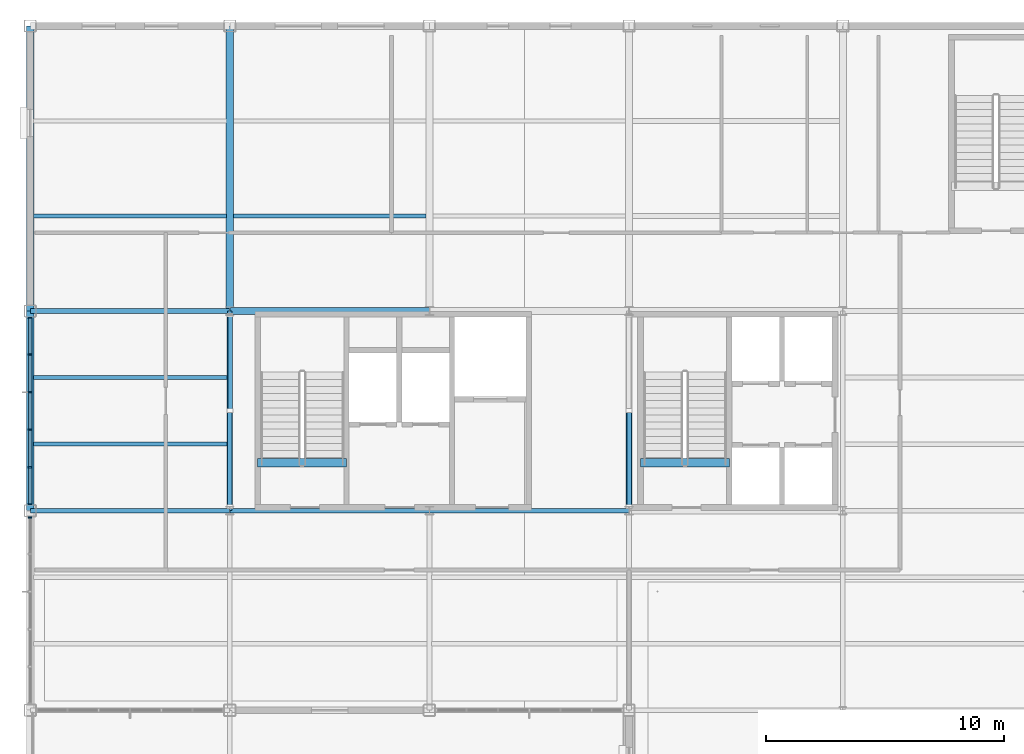
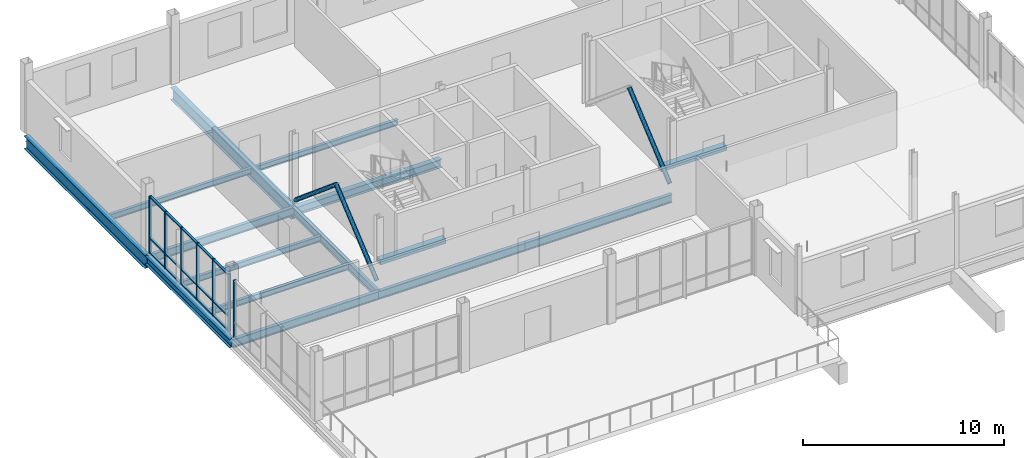
# One storey, part 6 of 22: 25 members, 15 beams, 2 elements without a shape of their own.
"""IFC4 building model written with IfcOpenShell, lengths in metres."""

from ifc_helpers import new_model, si_unit, direction, frame, origin, origin_2d, place, context, subcontext, project, spatial, rectangle, hollow_circle, i_section, extrude, material, layer, layer_set, material_profile, profile_set, type_object, element, aggregate, save


model = new_model("IFC4")

# Units and contexts
model_context = context("Model", 3, precision=1e-05, world=origin(), true_north=direction((0.0, 1.0)))
body_context = subcontext(model_context, "Body", "Model", "MODEL_VIEW")
ifc_project = project(units=[si_unit("LENGTHUNIT", "METRE"), si_unit("AREAUNIT", "SQUARE_METRE"), si_unit("VOLUMEUNIT", "CUBIC_METRE"), si_unit("PLANEANGLEUNIT", "RADIAN"), si_unit("MASSUNIT", "GRAM", prefix="KILO")], contexts=[model_context])

# Site, building, storey
site_placement = place(None, origin())
site = spatial("IfcSite", under=ifc_project, at=site_placement, CompositionType="ELEMENT")
building_placement = place(site_placement, origin())
building = spatial("IfcBuilding", under=site, at=building_placement, Name="Yukiwa Park Conservatory and Herbarium", CompositionType="ELEMENT")
storey_placement = place(building_placement, frame((0.0, 0.0, 35.39990234375)))
storey = spatial("IfcBuildingStorey", under=building, at=storey_placement, Name="L09", CompositionType="ELEMENT", Elevation=35.39990234375)

# Beams
ifc_material_1 = material(Name="Steel Q355D", Category="steel")
ifc_material_profile_1 = material_profile(ifc_material_1, i_section(OverallWidth=0.199951171875, OverallDepth=0.5, WebThickness=0.010009765625, FlangeThickness=0.01611328125, FilletRadius=0.02001953125, at=origin_2d()), Name="HN 500x200x10x16")
ifc_profile_set_1 = profile_set([ifc_material_profile_1], Name="Steel Q355D")
beam_type_1 = type_object("IfcBeamType", Name="BM-GRD-HN500", PredefinedType="BEAM", material=ifc_profile_set_1)
beam_1_placement = place(storey_placement, frame((124.805908203125, 94.800048828125, -0.554931640625), z_axis=(1.0, 0.0, 0.0), x_axis=(0.0, 1.0, 0.0)))
element("IfcBeam", 1, at=beam_1_placement, inside=storey, type_object=beam_type_1, Name="L09 grid beam X-9", PredefinedType="BEAM", context=body_context, shape_type="SweptSolid", body=[
    extrude(i_section(OverallWidth=0.199951171875, OverallDepth=0.5, WebThickness=0.010009765625, FlangeThickness=0.01611328125, FilletRadius=0.02001953125, at=origin_2d()), origin(), (0.0, 0.0, 1.0), 8.38818359375),
])
for number, where, z_axis, x_axis, name in (
    (2, (133.2060546875, 94.800048828125, -0.554931640625), (1.0, 0.0, 0.0), (0.0, 1.0, 0.0), "L09 grid beam X-10"),
    (3, (141.60595703125, 94.800048828125, -0.554931640625), (1.0, 0.0, 0.0), (0.0, 1.0, 0.0), "L09 grid beam X-11"),
):
    element("IfcBeam", number, at=place(storey_placement, frame(where, z_axis=z_axis, x_axis=x_axis)), inside=storey, type_object=beam_type_1, Name=name, PredefinedType="BEAM", context=body_context, shape_type="SweptSolid", body=[
        extrude(i_section(OverallWidth=0.199951171875, OverallDepth=0.5, WebThickness=0.010009765625, FlangeThickness=0.01611328125, FilletRadius=0.02001953125, at=origin_2d()), origin(), (0.0, 0.0, 1.0), 8.387939453125),
    ])
for number, where, z_axis, x_axis, name in (
    (4, (124.805908203125, 103.199951171875, -0.554931640625), (1.0, 0.0, 0.0), (0.0, 1.0, 0.0), "L09 grid beam X-14"),
    (5, (133.199951171875, 94.805908203125, -0.554931640625), (0.0, 1.0, 0.0), (-1.0, 0.0, 0.0), "L09 grid girder Y-30"),
):
    element("IfcBeam", number, at=place(storey_placement, frame(where, z_axis=z_axis, x_axis=x_axis)), inside=storey, type_object=beam_type_1, Name=name, PredefinedType="BEAM", context=body_context, shape_type="SweptSolid", body=[
        extrude(i_section(OverallWidth=0.199951171875, OverallDepth=0.5, WebThickness=0.010009765625, FlangeThickness=0.01611328125, FilletRadius=0.02001953125, at=origin_2d()), origin(), (0.0, 0.0, 1.0), 8.38818359375),
    ])
ifc_material_2 = material(Name="Steel Q355D", Category="steel")
ifc_material_profile_2 = material_profile(ifc_material_2, i_section(OverallWidth=0.300048828125, OverallDepth=0.75, WebThickness=0.012939453125, FlangeThickness=0.02392578125, FilletRadius=0.028076171875, at=origin_2d()), Name="HN 750x300x13x24")
ifc_profile_set_2 = profile_set([ifc_material_profile_2], Name="Steel Q355D")
beam_type_2 = type_object("IfcBeamType", Name="BM-GRD-HN750", PredefinedType="BEAM", material=ifc_profile_set_2)
beam_2_placement = place(storey_placement, frame((133.199951171875, 103.2060546875, -0.679931640625), z_axis=(0.0, 1.0, 0.0), x_axis=(-1.0, 0.0, 0.0)))
element("IfcBeam", 6, at=beam_2_placement, inside=storey, type_object=beam_type_2, Name="L09 grid girder Y-31", PredefinedType="BEAM", context=body_context, shape_type="SweptSolid", body=[
    extrude(i_section(OverallWidth=0.300048828125, OverallDepth=0.75, WebThickness=0.012939453125, FlangeThickness=0.02392578125, FilletRadius=0.028076171875, at=origin_2d()), origin(), (0.0, 0.0, 1.0), 11.988037109375),
])
ifc_material_3 = material(Name="Steel Q355D", Category="steel")
ifc_material_profile_3 = material_profile(ifc_material_3, i_section(OverallWidth=0.175048828125, OverallDepth=0.35009765625, WebThickness=0.007080078125, FlangeThickness=0.010986328125, FilletRadius=0.013916015625, at=origin_2d()), Name="HN 350x175x7x11")
ifc_profile_set_3 = profile_set([ifc_material_profile_3], Name="Steel Q355D")
beam_type_3 = type_object("IfcBeamType", Name="BM-JST-HN350", PredefinedType="JOIST", material=ifc_profile_set_3)
for number, where, z_axis, x_axis, name in (
    (7, (124.946044921875, 97.60009765625, -0.47998046875), (1.0, 0.0, 0.0), (0.0, 1.0, 0.0), "L09 composite floor joist 5"),
    (8, (124.946044921875, 100.39990234375, -0.47998046875), (1.0, 0.0, 0.0), (0.0, 1.0, 0.0), "L09 composite floor joist 6"),
):
    element("IfcBeam", number, at=place(storey_placement, frame(where, z_axis=z_axis, x_axis=x_axis)), inside=storey, type_object=beam_type_3, Name=name, PredefinedType="JOIST", context=body_context, shape_type="SweptSolid", body=[
        extrude(i_section(OverallWidth=0.175048828125, OverallDepth=0.35009765625, WebThickness=0.007080078125, FlangeThickness=0.010986328125, FilletRadius=0.013916015625, at=origin_2d()), origin(), (0.0, 0.0, 1.0), 8.157958984375),
    ])
beam_3_placement = place(storey_placement, frame((124.946044921875, 107.199951171875, -0.47998046875), z_axis=(1.0, 0.0, 0.0), x_axis=(0.0, 1.0, 0.0)))
element("IfcBeam", 9, at=beam_3_placement, inside=storey, type_object=beam_type_3, Name="L09 composite floor joist 7", PredefinedType="JOIST", context=body_context, shape_type="SweptSolid", body=[
    extrude(i_section(OverallWidth=0.175048828125, OverallDepth=0.35009765625, WebThickness=0.007080078125, FlangeThickness=0.010986328125, FilletRadius=0.013916015625, at=origin_2d()), origin(), (0.0, 0.0, 1.0), 8.10791015625),
])
beam_4_placement = place(storey_placement, frame((133.345947265625, 107.199951171875, -0.47998046875), z_axis=(1.0, 0.0, 0.0), x_axis=(0.0, 1.0, 0.0)))
element("IfcBeam", 10, at=beam_4_placement, inside=storey, type_object=beam_type_3, Name="L09 composite floor joist 11", PredefinedType="JOIST", context=body_context, shape_type="SweptSolid", body=[
    extrude(i_section(OverallWidth=0.175048828125, OverallDepth=0.35009765625, WebThickness=0.007080078125, FlangeThickness=0.010986328125, FilletRadius=0.013916015625, at=origin_2d()), origin(), (0.0, 0.0, 1.0), 8.108154296875),
])
ifc_material_4 = material(Name="Steel Q355D", Category="steel")
ifc_material_profile_4 = material_profile(ifc_material_4, i_section(OverallWidth=0.300048828125, OverallDepth=0.5, WebThickness=0.010986328125, FlangeThickness=0.01806640625, FilletRadius=0.02392578125, at=origin_2d()), Name="HM 500x300x11x18")
ifc_profile_set_4 = profile_set([ifc_material_profile_4], Name="Steel Q355D")
beam_type_4 = type_object("IfcBeamType", Name="BM-SPN-HN500", PredefinedType="SPANDREL", material=ifc_profile_set_4)
beam_5_placement = place(storey_placement, frame((133.2060546875, 103.199951171875, -0.554931640625), z_axis=(1.0, 0.0, 0.0), x_axis=(0.0, 1.0, 0.0)))
element("IfcBeam", 11, at=beam_5_placement, inside=storey, type_object=beam_type_4, Name="L09 spandrel beam X-15", PredefinedType="SPANDREL", context=body_context, shape_type="SweptSolid", body=[
    extrude(i_section(OverallWidth=0.300048828125, OverallDepth=0.5, WebThickness=0.010986328125, FlangeThickness=0.01806640625, FilletRadius=0.02392578125, at=origin_2d()), origin(), (0.0, 0.0, 1.0), 8.387939453125),
])
beam_6_placement = place(storey_placement, frame((124.800048828125, 94.805908203125, -0.554931640625), z_axis=(0.0, 1.0, 0.0), x_axis=(-1.0, 0.0, 0.0)))
element("IfcBeam", 12, at=beam_6_placement, inside=storey, type_object=beam_type_4, Name="L09 spandrel girder Y-26", PredefinedType="SPANDREL", context=body_context, shape_type="SweptSolid", body=[
    extrude(i_section(OverallWidth=0.300048828125, OverallDepth=0.5, WebThickness=0.010986328125, FlangeThickness=0.01806640625, FilletRadius=0.02392578125, at=origin_2d()), origin(), (0.0, 0.0, 1.0), 8.38818359375),
])
ifc_material_5 = material(Name="Steel Q355D", Category="steel")
ifc_material_profile_5 = material_profile(ifc_material_5, i_section(OverallWidth=0.300048828125, OverallDepth=0.7919921875, WebThickness=0.013916015625, FlangeThickness=0.02197265625, FilletRadius=0.028076171875, at=origin_2d()), Name="HN 792x300x14x22")
ifc_profile_set_5 = profile_set([ifc_material_profile_5], Name="Steel Q355D")
beam_type_5 = type_object("IfcBeamType", Name="BM-SPN-HN600", PredefinedType="SPANDREL", material=ifc_profile_set_5)
beam_7_placement = place(storey_placement, frame((124.800048828125, 103.2060546875, -0.700927734375), z_axis=(0.0, 1.0, 0.0), x_axis=(-1.0, 0.0, 0.0)))
element("IfcBeam", 13, at=beam_7_placement, inside=storey, type_object=beam_type_5, Name="L09 spandrel girder Y-27", PredefinedType="SPANDREL", context=body_context, shape_type="SweptSolid", body=[
    extrude(i_section(OverallWidth=0.300048828125, OverallDepth=0.7919921875, WebThickness=0.013916015625, FlangeThickness=0.02197265625, FilletRadius=0.028076171875, at=origin_2d()), origin(), (0.0, 0.0, 1.0), 11.988037109375),
])
ifc_material_6 = material(Name="Concrete C40", Category="concrete")
ifc_material_profile_6 = material_profile(ifc_material_6, rectangle(XDim=0.35009765625, YDim=0.300048828125, at=origin_2d()), Name="RC 350x300")
ifc_profile_set_6 = profile_set([ifc_material_profile_6], Name="Concrete C40")
beam_type_6 = type_object("IfcBeamType", Name="BM-STAIR-TRIM", PredefinedType="BEAM", material=ifc_profile_set_6)
for number, where, z_axis, x_axis, name in (
    (14, (134.3701171875, 96.81005859375, -0.14990234375), (1.0, 0.0, 0.0), (0.0, 1.0, 0.0), "Stair ST-T1 L09 landing trimmer beam"),
    (15, (150.47998046875, 96.81005859375, -0.14990234375), (1.0, 0.0, 0.0), (0.0, 1.0, 0.0), "Stair ST-T2 L09 landing trimmer beam"),
):
    element("IfcBeam", number, at=place(storey_placement, frame(where, z_axis=z_axis, x_axis=x_axis)), inside=storey, type_object=beam_type_6, Name=name, PredefinedType="BEAM", context=body_context, shape_type="SweptSolid", body=[
        extrude(rectangle(XDim=0.35009765625, YDim=0.300048828125, at=origin_2d()), origin(), (0.0, 0.0, 1.0), 3.75),
    ])

# Members
ifc_material_7 = material(Name="Steel Q355D", Category="steel")
ifc_material_profile_7 = material_profile(ifc_material_7, hollow_circle(Radius=0.122314453125, WallThickness=0.010009765625, at=origin_2d()), Name="CHS 244.5x10")
ifc_profile_set_7 = profile_set([ifc_material_profile_7], Name="Steel Q355D")
member_type_1 = type_object("IfcMemberType", Name="MB-BR-CHS245", PredefinedType="BRACE", material=ifc_profile_set_7)
for number, where, z_axis, x_axis, name in (
    (16, (133.199951171875, 94.970458984375, 0.19287109375), (0.0, 0.766143619244, 0.642669397663), (-1.0, 0.0, 0.0), "L09 concentric chevron brace 49"),
    (17, (133.199951171875, 103.029541015625, 0.19287109375), (0.0, -0.766143619244, 0.642669397663), (1.0, 0.0, 0.0), "L09 concentric chevron brace 50"),
    (18, (150.0, 94.970458984375, 0.19287109375), (0.0, 0.766143619244, 0.642669397663), (-1.0, 0.0, 0.0), "L09 concentric chevron brace 51"),
):
    element("IfcMember", number, at=place(storey_placement, frame(where, z_axis=z_axis, x_axis=x_axis)), inside=storey, type_object=member_type_1, Name=name, PredefinedType="BRACE", context=body_context, shape_type="SweptSolid", body=[
        extrude(hollow_circle(Radius=0.122314453125, WallThickness=0.010009765625, at=origin_2d()), origin(), (0.0, 0.0, 1.0), 5.259521484375),
    ])

# Curtain wall, members
ifc_material_8 = material(Name="Triple Low-E Insulated Glass", Category="glass")
ifc_layer = layer(ifc_material_8, 0.260009765625)
ifc_layer_set = layer_set([ifc_layer], Name="Triple Low-E Insulated Glass")
curtain_wall_type = type_object("IfcCurtainWallType", Name="CW-TOWER-LAB-W-1500", PredefinedType="NOTDEFINED", material=ifc_layer_set)
curtain_wall_1_placement = place(storey_placement, origin())
curtain_wall_1 = element("IfcCurtainWall", 19, at=curtain_wall_1_placement, inside=storey, type_object=curtain_wall_type, Name="L09 unitised curtain wall CW-L09-101", PredefinedType="NOTDEFINED")
ifc_material_9 = material(Name="Anodised Aluminium", Category="aluminium")
member_type_2 = type_object("IfcMemberType", Name="MB-CW-MUL-70X150", PredefinedType="MULLION", material=ifc_material_9)
member_1_placement = place(storey_placement, frame((124.800048828125, 102.9150390625, 0.0), z_axis=(0.0, 0.0, 1.0), x_axis=(0.0, -1.0, 0.0)))
member_1 = element("IfcMember", 20, at=member_1_placement, type_object=member_type_2, Name="CW-L09-101 mullion 1", PredefinedType="MULLION", context=body_context, shape_type="SweptSolid", body=[
    extrude(rectangle(XDim=0.070068359375, YDim=0.14990234375, at=origin_2d()), origin(), (0.0, 0.0, 1.0), 3.447998046875),
])
member_2_placement = place(storey_placement, frame((124.800048828125, 101.3701171875, 0.0), z_axis=(0.0, 0.0, 1.0), x_axis=(0.0, -1.0, 0.0)))
member_2 = element("IfcMember", 21, at=member_2_placement, type_object=member_type_2, Name="CW-L09-101 mullion 2", PredefinedType="MULLION", context=body_context, shape_type="SweptSolid", body=[
    extrude(rectangle(XDim=0.070068359375, YDim=0.14990234375, at=origin_2d()), origin(), (0.0, 0.0, 1.0), 3.447998046875),
])
member_3_placement = place(storey_placement, frame((124.800048828125, 99.7900390625, 0.0), z_axis=(0.0, 0.0, 1.0), x_axis=(0.0, -1.0, 0.0)))
member_3 = element("IfcMember", 22, at=member_3_placement, type_object=member_type_2, Name="CW-L09-101 mullion 3", PredefinedType="MULLION", context=body_context, shape_type="SweptSolid", body=[
    extrude(rectangle(XDim=0.070068359375, YDim=0.14990234375, at=origin_2d()), origin(), (0.0, 0.0, 1.0), 3.447998046875),
])
member_4_placement = place(storey_placement, frame((124.800048828125, 98.2099609375, 0.0), z_axis=(0.0, 0.0, 1.0), x_axis=(0.0, -1.0, 0.0)))
member_4 = element("IfcMember", 23, at=member_4_placement, type_object=member_type_2, Name="CW-L09-101 mullion 4", PredefinedType="MULLION", context=body_context, shape_type="SweptSolid", body=[
    extrude(rectangle(XDim=0.070068359375, YDim=0.14990234375, at=origin_2d()), origin(), (0.0, 0.0, 1.0), 3.447998046875),
])
member_5_placement = place(storey_placement, frame((124.800048828125, 96.6298828125, 0.0), z_axis=(0.0, 0.0, 1.0), x_axis=(0.0, -1.0, 0.0)))
member_5 = element("IfcMember", 24, at=member_5_placement, type_object=member_type_2, Name="CW-L09-101 mullion 5", PredefinedType="MULLION", context=body_context, shape_type="SweptSolid", body=[
    extrude(rectangle(XDim=0.070068359375, YDim=0.14990234375, at=origin_2d()), origin(), (0.0, 0.0, 1.0), 3.447998046875),
])
member_6_placement = place(storey_placement, frame((124.800048828125, 95.0849609375, 0.0), z_axis=(0.0, 0.0, 1.0), x_axis=(0.0, -1.0, 0.0)))
member_6 = element("IfcMember", 25, at=member_6_placement, type_object=member_type_2, Name="CW-L09-101 mullion 6", PredefinedType="MULLION", context=body_context, shape_type="SweptSolid", body=[
    extrude(rectangle(XDim=0.070068359375, YDim=0.14990234375, at=origin_2d()), origin(), (0.0, 0.0, 1.0), 3.447998046875),
])

# Curtain wall, member
curtain_wall_2_placement = place(storey_placement, origin())
curtain_wall_2 = element("IfcCurtainWall", 26, at=curtain_wall_2_placement, inside=storey, type_object=curtain_wall_type, Name="L09 unitised curtain wall CW-L09-102", PredefinedType="NOTDEFINED")
member_7_placement = place(storey_placement, frame((124.800048828125, 94.514892578125, 0.0), z_axis=(0.0, 0.0, 1.0), x_axis=(0.0, -1.0, 0.0)))
member_7 = element("IfcMember", 27, at=member_7_placement, type_object=member_type_2, Name="CW-L09-102 mullion 1", PredefinedType="MULLION", context=body_context, shape_type="SweptSolid", body=[
    extrude(rectangle(XDim=0.070068359375, YDim=0.14990234375, at=origin_2d()), origin(), (0.0, 0.0, 1.0), 3.447998046875),
])
aggregate(curtain_wall_2, [member_7])

# Member
ifc_material_10 = material(Name="Anodised Aluminium", Category="aluminium")
member_type_3 = type_object("IfcMemberType", Name="MB-CW-TRN-70X130", PredefinedType="USERDEFINED", material=ifc_material_10)
member_8_placement = place(storey_placement, frame((124.800048828125, 102.159912109375, 0.0), z_axis=(0.0, 0.0, 1.0), x_axis=(0.0, -1.0, 0.0)))
member_8 = element("IfcMember", 28, at=member_8_placement, type_object=member_type_3, Name="CW-L09-101 transom 1.1", ObjectType="TRANSOM", PredefinedType="USERDEFINED", context=body_context, shape_type="SweptSolid", body=[
    extrude(rectangle(XDim=1.510009765625, YDim=0.1298828125, at=origin_2d()), origin(), (0.0, 0.0, 1.0), 0.070068359375),
])

member_9_placement = place(storey_placement, frame((124.800048828125, 102.159912109375, 0.865234375), z_axis=(0.0, 0.0, 1.0), x_axis=(0.0, -1.0, 0.0)))
member_9 = element("IfcMember", 29, at=member_9_placement, type_object=member_type_3, Name="CW-L09-101 transom 1.2", ObjectType="TRANSOM", PredefinedType="USERDEFINED", context=body_context, shape_type="SweptSolid", body=[
    extrude(rectangle(XDim=1.510009765625, YDim=0.1298828125, at=origin_2d()), origin(), (0.0, 0.0, 1.0), 0.070068359375),
])

member_10_placement = place(storey_placement, frame((124.800048828125, 102.159912109375, 3.3779296875), z_axis=(0.0, 0.0, 1.0), x_axis=(0.0, -1.0, 0.0)))
member_10 = element("IfcMember", 30, at=member_10_placement, type_object=member_type_3, Name="CW-L09-101 transom 1.3", ObjectType="TRANSOM", PredefinedType="USERDEFINED", context=body_context, shape_type="SweptSolid", body=[
    extrude(rectangle(XDim=1.510009765625, YDim=0.1298828125, at=origin_2d()), origin(), (0.0, 0.0, 1.0), 0.070068359375),
])

member_11_placement = place(storey_placement, frame((124.800048828125, 100.580078125, 0.0), z_axis=(0.0, 0.0, 1.0), x_axis=(0.0, -1.0, 0.0)))
member_11 = element("IfcMember", 31, at=member_11_placement, type_object=member_type_3, Name="CW-L09-101 transom 2.1", ObjectType="TRANSOM", PredefinedType="USERDEFINED", context=body_context, shape_type="SweptSolid", body=[
    extrude(rectangle(XDim=1.510009765625, YDim=0.1298828125, at=origin_2d()), origin(), (0.0, 0.0, 1.0), 0.070068359375),
])

member_12_placement = place(storey_placement, frame((124.800048828125, 100.580078125, 0.865234375), z_axis=(0.0, 0.0, 1.0), x_axis=(0.0, -1.0, 0.0)))
member_12 = element("IfcMember", 32, at=member_12_placement, type_object=member_type_3, Name="CW-L09-101 transom 2.2", ObjectType="TRANSOM", PredefinedType="USERDEFINED", context=body_context, shape_type="SweptSolid", body=[
    extrude(rectangle(XDim=1.510009765625, YDim=0.1298828125, at=origin_2d()), origin(), (0.0, 0.0, 1.0), 0.070068359375),
])

member_13_placement = place(storey_placement, frame((124.800048828125, 100.580078125, 3.3779296875), z_axis=(0.0, 0.0, 1.0), x_axis=(0.0, -1.0, 0.0)))
member_13 = element("IfcMember", 33, at=member_13_placement, type_object=member_type_3, Name="CW-L09-101 transom 2.3", ObjectType="TRANSOM", PredefinedType="USERDEFINED", context=body_context, shape_type="SweptSolid", body=[
    extrude(rectangle(XDim=1.510009765625, YDim=0.1298828125, at=origin_2d()), origin(), (0.0, 0.0, 1.0), 0.070068359375),
])

member_14_placement = place(storey_placement, frame((124.800048828125, 99.0, 0.0), z_axis=(0.0, 0.0, 1.0), x_axis=(0.0, -1.0, 0.0)))
member_14 = element("IfcMember", 34, at=member_14_placement, type_object=member_type_3, Name="CW-L09-101 transom 3.1", ObjectType="TRANSOM", PredefinedType="USERDEFINED", context=body_context, shape_type="SweptSolid", body=[
    extrude(rectangle(XDim=1.510009765625, YDim=0.1298828125, at=origin_2d()), origin(), (0.0, 0.0, 1.0), 0.070068359375),
])

member_15_placement = place(storey_placement, frame((124.800048828125, 99.0, 0.865234375), z_axis=(0.0, 0.0, 1.0), x_axis=(0.0, -1.0, 0.0)))
member_15 = element("IfcMember", 35, at=member_15_placement, type_object=member_type_3, Name="CW-L09-101 transom 3.2", ObjectType="TRANSOM", PredefinedType="USERDEFINED", context=body_context, shape_type="SweptSolid", body=[
    extrude(rectangle(XDim=1.510009765625, YDim=0.1298828125, at=origin_2d()), origin(), (0.0, 0.0, 1.0), 0.070068359375),
])

member_16_placement = place(storey_placement, frame((124.800048828125, 99.0, 3.3779296875), z_axis=(0.0, 0.0, 1.0), x_axis=(0.0, -1.0, 0.0)))
member_16 = element("IfcMember", 36, at=member_16_placement, type_object=member_type_3, Name="CW-L09-101 transom 3.3", ObjectType="TRANSOM", PredefinedType="USERDEFINED", context=body_context, shape_type="SweptSolid", body=[
    extrude(rectangle(XDim=1.510009765625, YDim=0.1298828125, at=origin_2d()), origin(), (0.0, 0.0, 1.0), 0.070068359375),
])

member_17_placement = place(storey_placement, frame((124.800048828125, 97.419921875, 0.0), z_axis=(0.0, 0.0, 1.0), x_axis=(0.0, -1.0, 0.0)))
member_17 = element("IfcMember", 37, at=member_17_placement, type_object=member_type_3, Name="CW-L09-101 transom 4.1", ObjectType="TRANSOM", PredefinedType="USERDEFINED", context=body_context, shape_type="SweptSolid", body=[
    extrude(rectangle(XDim=1.510009765625, YDim=0.1298828125, at=origin_2d()), origin(), (0.0, 0.0, 1.0), 0.070068359375),
])

member_18_placement = place(storey_placement, frame((124.800048828125, 97.419921875, 0.865234375), z_axis=(0.0, 0.0, 1.0), x_axis=(0.0, -1.0, 0.0)))
member_18 = element("IfcMember", 38, at=member_18_placement, type_object=member_type_3, Name="CW-L09-101 transom 4.2", ObjectType="TRANSOM", PredefinedType="USERDEFINED", context=body_context, shape_type="SweptSolid", body=[
    extrude(rectangle(XDim=1.510009765625, YDim=0.1298828125, at=origin_2d()), origin(), (0.0, 0.0, 1.0), 0.070068359375),
])

member_19_placement = place(storey_placement, frame((124.800048828125, 97.419921875, 3.3779296875), z_axis=(0.0, 0.0, 1.0), x_axis=(0.0, -1.0, 0.0)))
member_19 = element("IfcMember", 39, at=member_19_placement, type_object=member_type_3, Name="CW-L09-101 transom 4.3", ObjectType="TRANSOM", PredefinedType="USERDEFINED", context=body_context, shape_type="SweptSolid", body=[
    extrude(rectangle(XDim=1.510009765625, YDim=0.1298828125, at=origin_2d()), origin(), (0.0, 0.0, 1.0), 0.070068359375),
])

member_20_placement = place(storey_placement, frame((124.800048828125, 95.840087890625, 0.0), z_axis=(0.0, 0.0, 1.0), x_axis=(0.0, -1.0, 0.0)))
member_20 = element("IfcMember", 40, at=member_20_placement, type_object=member_type_3, Name="CW-L09-101 transom 5.1", ObjectType="TRANSOM", PredefinedType="USERDEFINED", context=body_context, shape_type="SweptSolid", body=[
    extrude(rectangle(XDim=1.510009765625, YDim=0.1298828125, at=origin_2d()), origin(), (0.0, 0.0, 1.0), 0.070068359375),
])

member_21_placement = place(storey_placement, frame((124.800048828125, 95.840087890625, 0.865234375), z_axis=(0.0, 0.0, 1.0), x_axis=(0.0, -1.0, 0.0)))
member_21 = element("IfcMember", 41, at=member_21_placement, type_object=member_type_3, Name="CW-L09-101 transom 5.2", ObjectType="TRANSOM", PredefinedType="USERDEFINED", context=body_context, shape_type="SweptSolid", body=[
    extrude(rectangle(XDim=1.510009765625, YDim=0.1298828125, at=origin_2d()), origin(), (0.0, 0.0, 1.0), 0.070068359375),
])

member_22_placement = place(storey_placement, frame((124.800048828125, 95.840087890625, 3.3779296875), z_axis=(0.0, 0.0, 1.0), x_axis=(0.0, -1.0, 0.0)))
member_22 = element("IfcMember", 42, at=member_22_placement, type_object=member_type_3, Name="CW-L09-101 transom 5.3", ObjectType="TRANSOM", PredefinedType="USERDEFINED", context=body_context, shape_type="SweptSolid", body=[
    extrude(rectangle(XDim=1.510009765625, YDim=0.1298828125, at=origin_2d()), origin(), (0.0, 0.0, 1.0), 0.070068359375),
])

aggregate(curtain_wall_1, [member_1, member_2, member_3, member_4, member_5, member_6, member_8, member_9, member_10, member_11, member_12, member_13, member_14, member_15, member_16, member_17, member_18, member_19, member_20, member_21, member_22])

save(model, "model.ifc")
